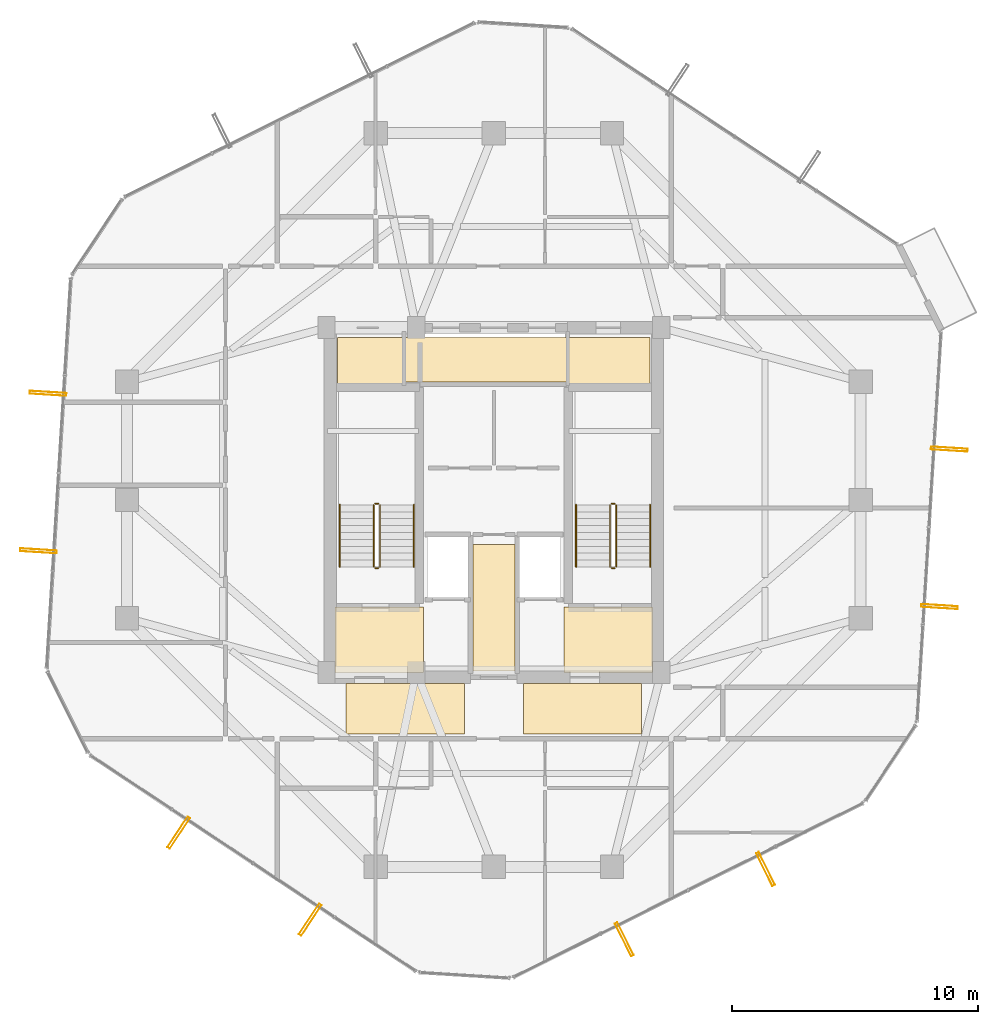
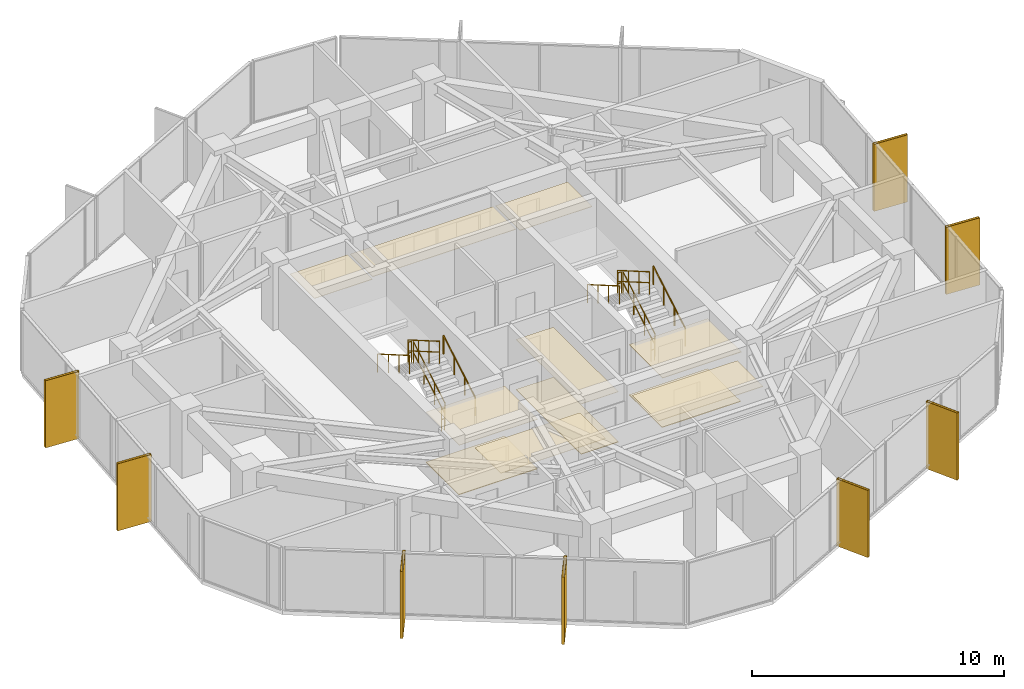
# One storey, part 28 of 29: 12 railings, 11 coverings, 8 shading devices.
"""IFC4 building model written with IfcOpenShell, lengths in metres."""

from ifc_helpers import new_model, si_unit, direction, frame, origin, origin_2d, place, context, subcontext, project, spatial, polyline, hollow_rectangle, circle, outline, extrude, material, layer, layer_set, material_profile, profile_set, type_object, element, save


model = new_model("IFC4")

# Units and contexts
model_context = context("Model", 3, precision=1e-05, world=origin(), true_north=direction((0.0, 1.0)))
body_context = subcontext(model_context, "Body", "Model", "MODEL_VIEW")
ifc_project = project(units=[si_unit("LENGTHUNIT", "METRE"), si_unit("AREAUNIT", "SQUARE_METRE"), si_unit("VOLUMEUNIT", "CUBIC_METRE"), si_unit("PLANEANGLEUNIT", "RADIAN"), si_unit("MASSUNIT", "GRAM", prefix="KILO")], contexts=[model_context])

# Site, building, storey
site_placement = place(None, origin())
site = spatial("IfcSite", under=ifc_project, at=site_placement, CompositionType="ELEMENT")
building_placement = place(site_placement, origin())
building = spatial("IfcBuilding", under=site, at=building_placement, Name="Veraguas Prism Commons", CompositionType="ELEMENT")
storey_placement = place(building_placement, frame((0.0, 0.0, 218.89990234375)))
storey = spatial("IfcBuildingStorey", under=building, at=storey_placement, Name="L62", CompositionType="ELEMENT", Elevation=218.89990234375)

# Shading devices
ifc_material_1 = material(Name="Anodised aluminium EN AW-6063 T6", Category="aluminium")
ifc_material_profile = material_profile(ifc_material_1, hollow_rectangle(XDim=0.1201171875, YDim=1.489990234375, WallThickness=0.006103515625, at=origin_2d()), Name="FIN120X1490X6")
ifc_profile_set = profile_set([ifc_material_profile], Name="Anodised aluminium EN AW-6063 T6")
shading_device_type = type_object("IfcShadingDeviceType", Name="Deep Pale-Metal Vertical Solar Fin 120x1490", PredefinedType="USERDEFINED", material=ifc_profile_set)
for number, where, z_axis, x_axis, name in (
    (1, (5.897705078125, 28.33056640625, -0.21484375), (0.0, 0.0, 1.0), (-0.061745354146, -0.998091935265, 0.0), "Vertical Pale-Metal Solar Fin L62-F3A"),
    (2, (5.501953125, 21.933837890625, -0.21484375), (0.0, 0.0, 1.0), (-0.061745354146, -0.998091935265, 0.0), "Vertical Pale-Metal Solar Fin L62-F3B"),
    (3, (11.198486328125, 10.48828125, -0.21484375), (0.0, 0.0, 1.0), (0.833500294179, -0.552519012888, 0.0), "Vertical Pale-Metal Solar Fin L62-F4A"),
    (4, (16.540283203125, 6.947021484375, -0.21484375), (0.0, 0.0, 1.0), (0.833500294179, -0.552519012888, 0.0), "Vertical Pale-Metal Solar Fin L62-F4B"),
    (5, (29.30078125, 6.15771484375, -0.21484375), (0.0, 0.0, 1.0), (0.895244870652, 0.445574484875, 0.0), "Vertical Pale-Metal Solar Fin L62-F5A"),
    (6, (35.03857421875, 9.01318359375, -0.21484375), (0.0, 0.0, 1.0), (0.895244870652, 0.445574484875, 0.0), "Vertical Pale-Metal Solar Fin L62-F5B"),
    (7, (42.102294921875, 19.66943359375, -0.21484375), (0.0, 0.0, 1.0), (0.061745354146, 0.998091935265, 0.0), "Vertical Pale-Metal Solar Fin L62-F6A"),
    (8, (42.498046875, 26.066162109375, -0.21484375), (0.0, 0.0, 1.0), (0.061745354146, 0.998091935265, 0.0), "Vertical Pale-Metal Solar Fin L62-F6B"),
):
    element("IfcShadingDevice", number, at=place(storey_placement, frame(where, z_axis=z_axis, x_axis=x_axis)), inside=storey, type_object=shading_device_type, Name=name, ObjectType="FIN", PredefinedType="USERDEFINED", context=body_context, shape_type="SweptSolid", body=[
        extrude(hollow_rectangle(XDim=0.1201171875, YDim=1.489990234375, WallThickness=0.006103515625, at=origin_2d()), origin(), (0.0, 0.0, 1.0), 3.25),
    ])

# Coverings
ifc_material_2 = material(Name="Acoustic gypsum board")
ifc_layer_1 = layer(ifc_material_2, 0.02490234375, Name="Perforated Acoustic Ceiling Tile 25")
ifc_layer_set_1 = layer_set([ifc_layer_1], Name="Acoustic gypsum board")
covering_type_1 = type_object("IfcCoveringType", Name="Perforated Acoustic Ceiling Tile 25", PredefinedType="USERDEFINED", material=ifc_layer_set_1)
covering_1_placement = place(storey_placement, frame((0.0, 0.0, 2.425048828125)))
element("IfcCovering", 9, at=covering_1_placement, inside=storey, type_object=covering_type_1, Name="East Lobby Acoustic Ceiling L62", ObjectType="ACOUSTIC CEILING", PredefinedType="USERDEFINED", context=body_context, shape_type="SweptSolid", body=[
    extrude(outline(polyline([(26.85009765625, 17.0), (30.449951171875, 17.0), (30.449951171875, 19.64990234375), (26.85009765625, 19.64990234375), (26.85009765625, 17.0)])), origin(), (0.0, 0.0, 1.0), 0.025146484375),
])
ifc_material_3 = material(Name="Terrazzo stone finish", Category="masonry")
ifc_layer_2 = layer(ifc_material_3, 0.030029296875, Name="Polished Terrazzo Floor Finish 30", Category="masonry")
ifc_layer_set_2 = layer_set([ifc_layer_2], Name="Terrazzo stone finish")
covering_type_2 = type_object("IfcCoveringType", Name="Polished Terrazzo Floor Finish 30", PredefinedType="FLOORING", material=ifc_layer_set_2)
covering_2_placement = place(storey_placement, origin())
element("IfcCovering", 10, at=covering_2_placement, inside=storey, type_object=covering_type_2, Name="Terrazzo Lobby Flooring L62", PredefinedType="FLOORING", context=body_context, shape_type="SweptSolid", body=[
    extrude(outline(polyline([(23.14990234375, 17.050048828125), (24.85009765625, 17.050048828125), (24.85009765625, 22.199951171875), (23.14990234375, 22.199951171875), (23.14990234375, 17.050048828125)])), origin(), (0.0, 0.0, 1.0), 0.030029296875),
])
covering_3_placement = place(storey_placement, origin())
element("IfcCovering", 11, at=covering_3_placement, inside=storey, type_object=covering_type_2, Name="West FF Lobby Terrazzo Flooring L62", PredefinedType="FLOORING", context=body_context, shape_type="SweptSolid", body=[
    extrude(outline(polyline([(17.550048828125, 17.050048828125), (21.14990234375, 17.050048828125), (21.14990234375, 19.64990234375), (17.550048828125, 19.64990234375), (17.550048828125, 17.050048828125)])), origin(), (0.0, 0.0, 1.0), 0.030029296875),
])
covering_4_placement = place(storey_placement, origin())
element("IfcCovering", 12, at=covering_4_placement, inside=storey, type_object=covering_type_2, Name="East FF Lobby Terrazzo Flooring L62", PredefinedType="FLOORING", context=body_context, shape_type="SweptSolid", body=[
    extrude(outline(polyline([(26.85009765625, 17.050048828125), (30.449951171875, 17.050048828125), (30.449951171875, 19.64990234375), (26.85009765625, 19.64990234375), (26.85009765625, 17.050048828125)])), origin(), (0.0, 0.0, 1.0), 0.030029296875),
])

# Railings
ifc_material_4 = material(Name="Stainless steel AISI 316", Category="steel")
railing_type_1 = type_object("IfcRailingType", Name="Stair and Ramp Stainless Handrail 900", PredefinedType="HANDRAIL", material=ifc_material_4)
railing_1_placement = place(storey_placement, frame((20.75, 21.280029296875, 0.16259765625)))
element("IfcRailing", 13, at=railing_1_placement, inside=storey, type_object=railing_type_1, Name="Stair Handrail ST-01 L62-1", PredefinedType="HANDRAIL", context=body_context, shape_type="SweptSolid", body=[
    extrude(circle(Radius=0.02392578125, at=origin_2d()), frame((0.0, 0.0, 0.8759765625), z_axis=(0.0, 0.864913338283, 0.50192122615), x_axis=(-1.0, 0.0, 0.0)), (0.0, 0.0, 1.0), 2.91357421875),
    extrude(circle(Radius=0.02099609375, at=origin_2d()), origin(), (0.0, 0.0, 1.0), 0.851806640625),
    extrude(circle(Radius=0.02099609375, at=origin_2d()), frame((0.0, 0.840087890625, 0.487548828125)), (0.0, 0.0, 1.0), 0.851806640625),
    extrude(circle(Radius=0.02099609375, at=origin_2d()), frame((0.0, 1.679931640625, 0.974853515625)), (0.0, 0.0, 1.0), 0.851806640625),
    extrude(circle(Radius=0.02099609375, at=origin_2d()), frame((0.0, 2.52001953125, 1.46240234375)), (0.0, 0.0, 1.0), 0.851806640625),
])
railing_2_placement = place(storey_placement, frame((17.739990234375, 23.800048828125, 1.78759765625)))
element("IfcRailing", 14, at=railing_2_placement, inside=storey, type_object=railing_type_1, Name="Stair Handrail ST-01 L62-2", PredefinedType="HANDRAIL", context=body_context, shape_type="SweptSolid", body=[
    extrude(circle(Radius=0.02392578125, at=origin_2d()), frame((0.0, 0.0, 0.8759765625), z_axis=(0.0, -0.864913338283, 0.50192122615), x_axis=(1.0, 0.0, 0.0)), (0.0, 0.0, 1.0), 2.91357421875),
    extrude(circle(Radius=0.02099609375, at=origin_2d()), origin(), (0.0, 0.0, 1.0), 0.851806640625),
    extrude(circle(Radius=0.02099609375, at=origin_2d()), frame((0.0, -0.840087890625, 0.487548828125)), (0.0, 0.0, 1.0), 0.851806640625),
    extrude(circle(Radius=0.02099609375, at=origin_2d()), frame((0.0, -1.679931640625, 0.974853515625)), (0.0, 0.0, 1.0), 0.851806640625),
    extrude(circle(Radius=0.02099609375, at=origin_2d()), frame((0.0, -2.52001953125, 1.46240234375)), (0.0, 0.0, 1.0), 0.851806640625),
])
railing_3_placement = place(storey_placement, frame((30.35009765625, 21.280029296875, 0.16259765625)))
element("IfcRailing", 15, at=railing_3_placement, inside=storey, type_object=railing_type_1, Name="Stair Handrail ST-02 L62-1", PredefinedType="HANDRAIL", context=body_context, shape_type="SweptSolid", body=[
    extrude(circle(Radius=0.02392578125, at=origin_2d()), frame((0.0, 0.0, 0.8759765625), z_axis=(0.0, 0.864913338283, 0.50192122615), x_axis=(-1.0, 0.0, 0.0)), (0.0, 0.0, 1.0), 2.91357421875),
    extrude(circle(Radius=0.02099609375, at=origin_2d()), origin(), (0.0, 0.0, 1.0), 0.851806640625),
    extrude(circle(Radius=0.02099609375, at=origin_2d()), frame((0.0, 0.840087890625, 0.487548828125)), (0.0, 0.0, 1.0), 0.851806640625),
    extrude(circle(Radius=0.02099609375, at=origin_2d()), frame((0.0, 1.679931640625, 0.974853515625)), (0.0, 0.0, 1.0), 0.851806640625),
    extrude(circle(Radius=0.02099609375, at=origin_2d()), frame((0.0, 2.52001953125, 1.46240234375)), (0.0, 0.0, 1.0), 0.851806640625),
])
railing_4_placement = place(storey_placement, frame((27.340087890625, 23.800048828125, 1.78759765625)))
element("IfcRailing", 16, at=railing_4_placement, inside=storey, type_object=railing_type_1, Name="Stair Handrail ST-02 L62-2", PredefinedType="HANDRAIL", context=body_context, shape_type="SweptSolid", body=[
    extrude(circle(Radius=0.02392578125, at=origin_2d()), frame((0.0, 0.0, 0.8759765625), z_axis=(0.0, -0.864913338283, 0.50192122615), x_axis=(1.0, 0.0, 0.0)), (0.0, 0.0, 1.0), 2.91357421875),
    extrude(circle(Radius=0.02099609375, at=origin_2d()), origin(), (0.0, 0.0, 1.0), 0.851806640625),
    extrude(circle(Radius=0.02099609375, at=origin_2d()), frame((0.0, -0.840087890625, 0.487548828125)), (0.0, 0.0, 1.0), 0.851806640625),
    extrude(circle(Radius=0.02099609375, at=origin_2d()), frame((0.0, -1.679931640625, 0.974853515625)), (0.0, 0.0, 1.0), 0.851806640625),
    extrude(circle(Radius=0.02099609375, at=origin_2d()), frame((0.0, -2.52001953125, 1.46240234375)), (0.0, 0.0, 1.0), 0.851806640625),
])
railing_type_2 = type_object("IfcRailingType", Name="Stairwell Safety Guardrail 1100", PredefinedType="GUARDRAIL", material=ifc_material_4)
railing_5_placement = place(storey_placement, frame((19.3701171875, 21.280029296875, 0.16259765625)))
element("IfcRailing", 17, at=railing_5_placement, inside=storey, type_object=railing_type_2, Name="Stair Guard ST-01 L62-1", PredefinedType="GUARDRAIL", context=body_context, shape_type="SweptSolid", body=[
    extrude(circle(Radius=0.02392578125, at=origin_2d()), frame((0.0, 0.0, 1.076171875), z_axis=(0.0, 0.864913338283, 0.50192122615), x_axis=(-1.0, 0.0, 0.0)), (0.0, 0.0, 1.0), 2.91357421875),
    extrude(circle(Radius=0.02392578125, at=origin_2d()), frame((0.0, 0.0, 0.550048828125), z_axis=(0.0, 0.864913338283, 0.50192122615), x_axis=(-1.0, 0.0, 0.0)), (0.0, 0.0, 1.0), 2.91357421875),
    extrude(circle(Radius=0.02099609375, at=origin_2d()), origin(), (0.0, 0.0, 1.0), 1.052001953125),
    extrude(circle(Radius=0.02099609375, at=origin_2d()), frame((0.0, 0.840087890625, 0.487548828125)), (0.0, 0.0, 1.0), 1.052001953125),
    extrude(circle(Radius=0.02099609375, at=origin_2d()), frame((0.0, 1.679931640625, 0.974853515625)), (0.0, 0.0, 1.0), 1.052001953125),
    extrude(circle(Radius=0.02099609375, at=origin_2d()), frame((0.0, 2.52001953125, 1.46240234375)), (0.0, 0.0, 1.0), 1.052001953125),
])
railing_6_placement = place(storey_placement, frame((19.320068359375, 23.85009765625, 1.625)))
element("IfcRailing", 18, at=railing_6_placement, inside=storey, type_object=railing_type_2, Name="Stair Guard ST-01 L62-2", PredefinedType="GUARDRAIL", context=body_context, shape_type="SweptSolid", body=[
    extrude(circle(Radius=0.02392578125, at=origin_2d()), frame((0.0, 0.0, 1.076171875), z_axis=(-1.0, 0.0, 0.0), x_axis=(0.0, -1.0, 0.0)), (0.0, 0.0, 1.0), 0.150146484375),
    extrude(circle(Radius=0.02392578125, at=origin_2d()), frame((0.0, 0.0, 0.550048828125), z_axis=(-1.0, 0.0, 0.0), x_axis=(0.0, -1.0, 0.0)), (0.0, 0.0, 1.0), 0.150146484375),
    extrude(circle(Radius=0.02099609375, at=origin_2d()), origin(), (0.0, 0.0, 1.0), 1.052001953125),
    extrude(circle(Radius=0.02099609375, at=origin_2d()), frame((-0.150146484375, 0.0, 0.0)), (0.0, 0.0, 1.0), 1.052001953125),
])
railing_7_placement = place(storey_placement, frame((19.1201171875, 23.800048828125, 1.78759765625)))
element("IfcRailing", 19, at=railing_7_placement, inside=storey, type_object=railing_type_2, Name="Stair Guard ST-01 L62-3", PredefinedType="GUARDRAIL", context=body_context, shape_type="SweptSolid", body=[
    extrude(circle(Radius=0.02392578125, at=origin_2d()), frame((0.0, 0.0, 1.076171875), z_axis=(0.0, -0.864913338283, 0.50192122615), x_axis=(1.0, 0.0, 0.0)), (0.0, 0.0, 1.0), 2.91357421875),
    extrude(circle(Radius=0.02392578125, at=origin_2d()), frame((0.0, 0.0, 0.550048828125), z_axis=(0.0, -0.864913338283, 0.50192122615), x_axis=(1.0, 0.0, 0.0)), (0.0, 0.0, 1.0), 2.91357421875),
    extrude(circle(Radius=0.02099609375, at=origin_2d()), origin(), (0.0, 0.0, 1.0), 1.052001953125),
    extrude(circle(Radius=0.02099609375, at=origin_2d()), frame((0.0, -0.840087890625, 0.487548828125)), (0.0, 0.0, 1.0), 1.052001953125),
    extrude(circle(Radius=0.02099609375, at=origin_2d()), frame((0.0, -1.679931640625, 0.974853515625)), (0.0, 0.0, 1.0), 1.052001953125),
    extrude(circle(Radius=0.02099609375, at=origin_2d()), frame((0.0, -2.52001953125, 1.46240234375)), (0.0, 0.0, 1.0), 1.052001953125),
])
railing_8_placement = place(storey_placement, frame((19.320068359375, 21.22998046875, 0.0)))
element("IfcRailing", 20, at=railing_8_placement, inside=storey, type_object=railing_type_2, Name="Stair Guard ST-01 L62-4", PredefinedType="GUARDRAIL", context=body_context, shape_type="SweptSolid", body=[
    extrude(circle(Radius=0.02392578125, at=origin_2d()), frame((0.0, 0.0, 1.076171875), z_axis=(-1.0, 0.0, 0.0), x_axis=(0.0, -1.0, 0.0)), (0.0, 0.0, 1.0), 0.150146484375),
    extrude(circle(Radius=0.02392578125, at=origin_2d()), frame((0.0, 0.0, 0.550048828125), z_axis=(-1.0, 0.0, 0.0), x_axis=(0.0, -1.0, 0.0)), (0.0, 0.0, 1.0), 0.150146484375),
    extrude(circle(Radius=0.02099609375, at=origin_2d()), origin(), (0.0, 0.0, 1.0), 1.052001953125),
    extrude(circle(Radius=0.02099609375, at=origin_2d()), frame((-0.150146484375, 0.0, 0.0)), (0.0, 0.0, 1.0), 1.052001953125),
])
railing_9_placement = place(storey_placement, frame((28.969970703125, 21.280029296875, 0.16259765625)))
element("IfcRailing", 21, at=railing_9_placement, inside=storey, type_object=railing_type_2, Name="Stair Guard ST-02 L62-1", PredefinedType="GUARDRAIL", context=body_context, shape_type="SweptSolid", body=[
    extrude(circle(Radius=0.02392578125, at=origin_2d()), frame((0.0, 0.0, 1.076171875), z_axis=(0.0, 0.864913338283, 0.50192122615), x_axis=(-1.0, 0.0, 0.0)), (0.0, 0.0, 1.0), 2.91357421875),
    extrude(circle(Radius=0.02392578125, at=origin_2d()), frame((0.0, 0.0, 0.550048828125), z_axis=(0.0, 0.864913338283, 0.50192122615), x_axis=(-1.0, 0.0, 0.0)), (0.0, 0.0, 1.0), 2.91357421875),
    extrude(circle(Radius=0.02099609375, at=origin_2d()), origin(), (0.0, 0.0, 1.0), 1.052001953125),
    extrude(circle(Radius=0.02099609375, at=origin_2d()), frame((0.0, 0.840087890625, 0.487548828125)), (0.0, 0.0, 1.0), 1.052001953125),
    extrude(circle(Radius=0.02099609375, at=origin_2d()), frame((0.0, 1.679931640625, 0.974853515625)), (0.0, 0.0, 1.0), 1.052001953125),
    extrude(circle(Radius=0.02099609375, at=origin_2d()), frame((0.0, 2.52001953125, 1.46240234375)), (0.0, 0.0, 1.0), 1.052001953125),
])
railing_10_placement = place(storey_placement, frame((28.919921875, 23.85009765625, 1.625)))
element("IfcRailing", 22, at=railing_10_placement, inside=storey, type_object=railing_type_2, Name="Stair Guard ST-02 L62-2", PredefinedType="GUARDRAIL", context=body_context, shape_type="SweptSolid", body=[
    extrude(circle(Radius=0.02392578125, at=origin_2d()), frame((0.0, 0.0, 1.076171875), z_axis=(-1.0, 0.0, 0.0), x_axis=(0.0, -1.0, 0.0)), (0.0, 0.0, 1.0), 0.14990234375),
    extrude(circle(Radius=0.02392578125, at=origin_2d()), frame((0.0, 0.0, 0.550048828125), z_axis=(-1.0, 0.0, 0.0), x_axis=(0.0, -1.0, 0.0)), (0.0, 0.0, 1.0), 0.14990234375),
    extrude(circle(Radius=0.02099609375, at=origin_2d()), origin(), (0.0, 0.0, 1.0), 1.052001953125),
    extrude(circle(Radius=0.02099609375, at=origin_2d()), frame((-0.14990234375, 0.0, 0.0)), (0.0, 0.0, 1.0), 1.052001953125),
])
railing_11_placement = place(storey_placement, frame((28.719970703125, 23.800048828125, 1.78759765625)))
element("IfcRailing", 23, at=railing_11_placement, inside=storey, type_object=railing_type_2, Name="Stair Guard ST-02 L62-3", PredefinedType="GUARDRAIL", context=body_context, shape_type="SweptSolid", body=[
    extrude(circle(Radius=0.02392578125, at=origin_2d()), frame((0.0, 0.0, 1.076171875), z_axis=(0.0, -0.864913338283, 0.50192122615), x_axis=(1.0, 0.0, 0.0)), (0.0, 0.0, 1.0), 2.91357421875),
    extrude(circle(Radius=0.02392578125, at=origin_2d()), frame((0.0, 0.0, 0.550048828125), z_axis=(0.0, -0.864913338283, 0.50192122615), x_axis=(1.0, 0.0, 0.0)), (0.0, 0.0, 1.0), 2.91357421875),
    extrude(circle(Radius=0.02099609375, at=origin_2d()), origin(), (0.0, 0.0, 1.0), 1.052001953125),
    extrude(circle(Radius=0.02099609375, at=origin_2d()), frame((0.0, -0.840087890625, 0.487548828125)), (0.0, 0.0, 1.0), 1.052001953125),
    extrude(circle(Radius=0.02099609375, at=origin_2d()), frame((0.0, -1.679931640625, 0.974853515625)), (0.0, 0.0, 1.0), 1.052001953125),
    extrude(circle(Radius=0.02099609375, at=origin_2d()), frame((0.0, -2.52001953125, 1.46240234375)), (0.0, 0.0, 1.0), 1.052001953125),
])
railing_12_placement = place(storey_placement, frame((28.919921875, 21.22998046875, 0.0)))
element("IfcRailing", 24, at=railing_12_placement, inside=storey, type_object=railing_type_2, Name="Stair Guard ST-02 L62-4", PredefinedType="GUARDRAIL", context=body_context, shape_type="SweptSolid", body=[
    extrude(circle(Radius=0.02392578125, at=origin_2d()), frame((0.0, 0.0, 1.076171875), z_axis=(-1.0, 0.0, 0.0), x_axis=(0.0, -1.0, 0.0)), (0.0, 0.0, 1.0), 0.14990234375),
    extrude(circle(Radius=0.02392578125, at=origin_2d()), frame((0.0, 0.0, 0.550048828125), z_axis=(-1.0, 0.0, 0.0), x_axis=(0.0, -1.0, 0.0)), (0.0, 0.0, 1.0), 0.14990234375),
    extrude(circle(Radius=0.02099609375, at=origin_2d()), origin(), (0.0, 0.0, 1.0), 1.052001953125),
    extrude(circle(Radius=0.02099609375, at=origin_2d()), frame((-0.14990234375, 0.0, 0.0)), (0.0, 0.0, 1.0), 1.052001953125),
])

# Coverings
ifc_layer_3 = layer(ifc_material_2, 0.02001953125, Name="Suspended Gypsum Ceiling 20")
ifc_layer_set_3 = layer_set([ifc_layer_3], Name="Acoustic gypsum board")
covering_type_3 = type_object("IfcCoveringType", Name="Suspended Gypsum Ceiling 20", PredefinedType="CEILING", material=ifc_layer_set_3)
covering_5_placement = place(storey_placement, frame((0.0, 0.0, 2.43017578125)))
element("IfcCovering", 25, at=covering_5_placement, inside=storey, type_object=covering_type_3, Name="West Lobby Suspended Gypsum Ceiling L62", PredefinedType="CEILING", context=body_context, shape_type="SweptSolid", body=[
    extrude(outline(polyline([(17.550048828125, 17.0), (21.14990234375, 17.0), (21.14990234375, 19.64990234375), (17.550048828125, 19.64990234375), (17.550048828125, 17.0)])), origin(), (0.0, 0.0, 1.0), 0.02001953125),
])
covering_6_placement = place(storey_placement, frame((0.0, 0.0, 2.43017578125)))
element("IfcCovering", 26, at=covering_6_placement, inside=storey, type_object=covering_type_3, Name="Core Lobby Acoustic Ceiling L62-1", PredefinedType="CEILING", context=body_context, shape_type="SweptSolid", body=[
    extrude(outline(polyline([(18.0, 14.5), (22.800048828125, 14.5), (22.800048828125, 16.550048828125), (18.0, 16.550048828125), (18.0, 14.5)])), origin(), (0.0, 0.0, 1.0), 0.02001953125),
])
covering_7_placement = place(storey_placement, frame((0.0, 0.0, 2.43017578125)))
element("IfcCovering", 27, at=covering_7_placement, inside=storey, type_object=covering_type_3, Name="Core Lobby Acoustic Ceiling L62-2", PredefinedType="CEILING", context=body_context, shape_type="SweptSolid", body=[
    extrude(outline(polyline([(25.199951171875, 14.5), (30.0, 14.5), (30.0, 16.550048828125), (25.199951171875, 16.550048828125), (25.199951171875, 14.5)])), origin(), (0.0, 0.0, 1.0), 0.02001953125),
])
covering_8_placement = place(storey_placement, frame((0.0, 0.0, 2.43017578125)))
element("IfcCovering", 28, at=covering_8_placement, inside=storey, type_object=covering_type_3, Name="Core Lobby Acoustic Ceiling L62-3", PredefinedType="CEILING", context=body_context, shape_type="SweptSolid", body=[
    extrude(outline(polyline([(23.14990234375, 17.050048828125), (24.85009765625, 17.050048828125), (24.85009765625, 22.199951171875), (23.14990234375, 22.199951171875), (23.14990234375, 17.050048828125)])), origin(), (0.0, 0.0, 1.0), 0.02001953125),
])
covering_9_placement = place(storey_placement, frame((0.0, 0.0, 2.43017578125)))
element("IfcCovering", 29, at=covering_9_placement, inside=storey, type_object=covering_type_3, Name="Core Lobby Acoustic Ceiling L62-4", PredefinedType="CEILING", context=body_context, shape_type="SweptSolid", body=[
    extrude(outline(polyline([(17.64990234375, 28.64990234375), (20.300048828125, 28.64990234375), (20.300048828125, 30.60009765625), (17.64990234375, 30.60009765625), (17.64990234375, 28.64990234375)])), origin(), (0.0, 0.0, 1.0), 0.02001953125),
])
covering_10_placement = place(storey_placement, frame((0.0, 0.0, 2.43017578125)))
element("IfcCovering", 30, at=covering_10_placement, inside=storey, type_object=covering_type_3, Name="Core Lobby Acoustic Ceiling L62-5", PredefinedType="CEILING", context=body_context, shape_type="SweptSolid", body=[
    extrude(outline(polyline([(27.050048828125, 28.64990234375), (30.35009765625, 28.64990234375), (30.35009765625, 30.60009765625), (27.050048828125, 30.60009765625), (27.050048828125, 28.64990234375)])), origin(), (0.0, 0.0, 1.0), 0.02001953125),
])
covering_11_placement = place(storey_placement, frame((0.0, 0.0, 2.43017578125)))
element("IfcCovering", 31, at=covering_11_placement, inside=storey, type_object=covering_type_3, Name="Core Lobby Acoustic Ceiling L62-6", PredefinedType="CEILING", context=body_context, shape_type="SweptSolid", body=[
    extrude(outline(polyline([(20.39990234375, 28.800048828125), (26.949951171875, 28.800048828125), (26.949951171875, 30.60009765625), (20.39990234375, 30.60009765625), (20.39990234375, 28.800048828125)])), origin(), (0.0, 0.0, 1.0), 0.02001953125),
])

save(model, "model.ifc")
